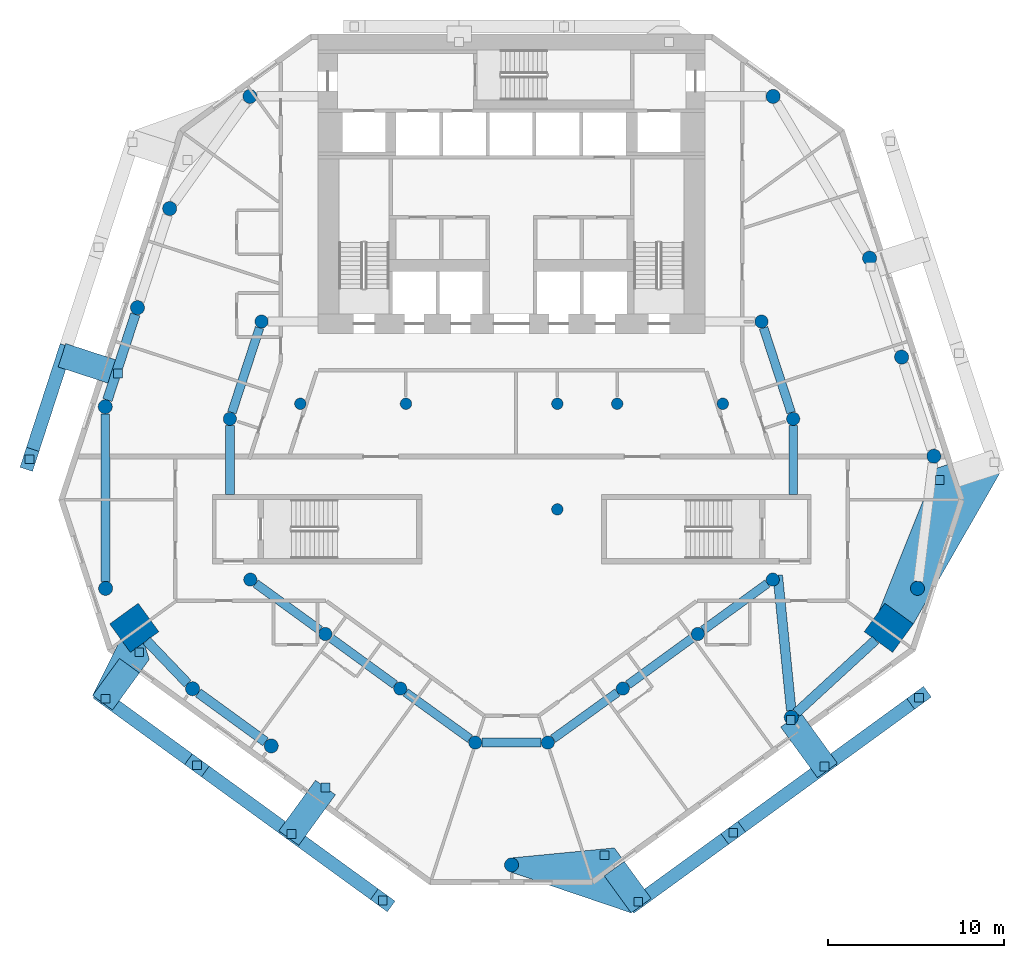
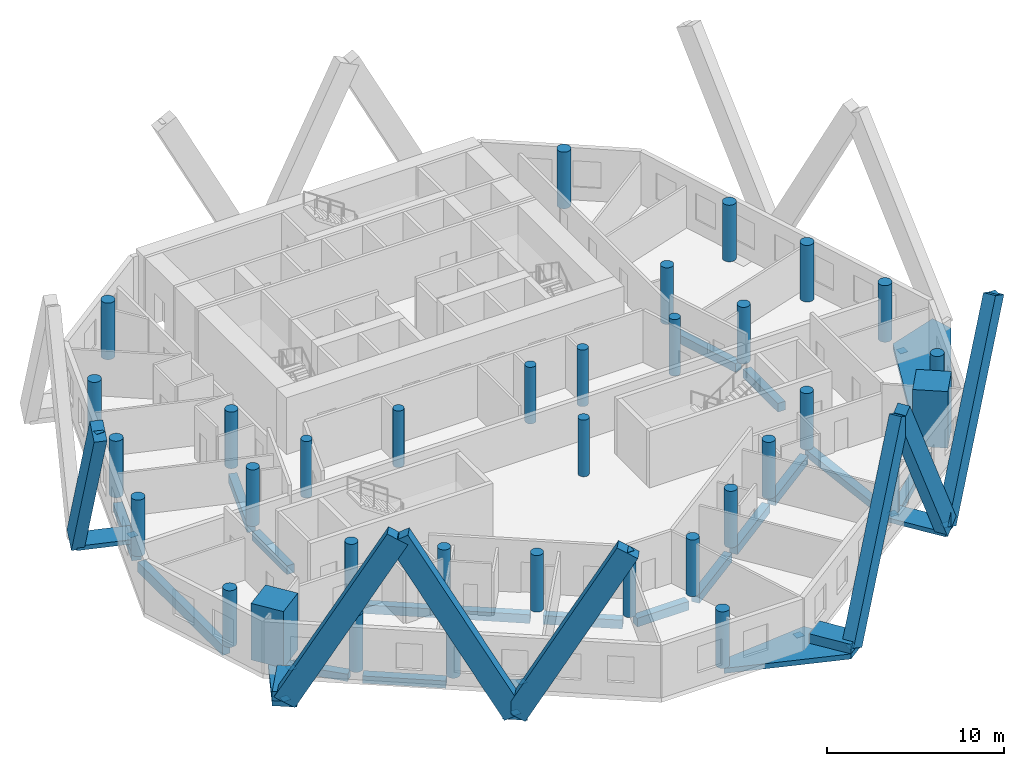
# One storey, part 1 of 10: 34 columns, 17 beams, 15 discrete accessories, 15 members.
"""IFC4 building model written with IfcOpenShell, lengths in metres."""

from ifc_helpers import new_model, si_unit, direction, frame, origin, origin_2d, place, context, subcontext, project, spatial, polyline, rectangle, circle, outline, extrude, material, layer, layer_set, material_profile, profile_set, type_object, element, aggregate, save


model = new_model("IFC4")

# Units and contexts
model_context = context("Model", 3, precision=1e-05, world=origin(), true_north=direction((0.0, 1.0)))
body_context = subcontext(model_context, "Body", "Model", "MODEL_VIEW")
ifc_project = project(units=[si_unit("LENGTHUNIT", "METRE"), si_unit("AREAUNIT", "SQUARE_METRE"), si_unit("VOLUMEUNIT", "CUBIC_METRE"), si_unit("PLANEANGLEUNIT", "RADIAN"), si_unit("MASSUNIT", "GRAM", prefix="KILO")], contexts=[model_context])

# Site, building, storey
site_placement = place(None, origin())
site = spatial("IfcSite", under=ifc_project, at=site_placement, CompositionType="ELEMENT")
building_placement = place(site_placement, origin())
building = spatial("IfcBuilding", under=site, at=building_placement, Name="White Candle Pilgrim Tower", CompositionType="ELEMENT")
storey_placement = place(building_placement, frame((0.0, 0.0, 114.199951171875)))
storey = spatial("IfcBuildingStorey", under=building, at=storey_placement, Name="L25", CompositionType="ELEMENT", Elevation=114.199951171875)

# Columns
ifc_material_1 = material(Name="Concrete C80/95", Category="concrete")
ifc_material_profile_1 = material_profile(ifc_material_1, circle(Radius=0.324951171875, at=origin_2d()), Name="RC-COL D650")
ifc_profile_set_1 = profile_set([ifc_material_profile_1], Name="Concrete C80/95")
column_type_1 = type_object("IfcColumnType", Name="Interior column RC-COL D650 C80/95", PredefinedType="COLUMN", material=ifc_profile_set_1)
for number, where, z_axis, x_axis, name in (
    (1, (58.0, 67.0, 0.0), (0.0, 0.0, 1.0), (1.0, 0.0, 0.0), "L25 column I01"),
    (2, (64.0, 67.0, 0.0), (0.0, 0.0, 1.0), (1.0, 0.0, 0.0), "L25 column I02"),
    (3, (72.60009765625, 61.0, 0.0), (0.0, 0.0, 1.0), (1.0, 0.0, 0.0), "L25 column I03"),
    (4, (72.60009765625, 67.0, 0.0), (0.0, 0.0, 1.0), (1.0, 0.0, 0.0), "L25 column I04"),
    (5, (76.0, 67.0, 0.0), (0.0, 0.0, 1.0), (1.0, 0.0, 0.0), "L25 column I05"),
    (6, (82.0, 67.0, 0.0), (0.0, 0.0, 1.0), (1.0, 0.0, 0.0), "L25 column I06"),
):
    element("IfcColumn", number, at=place(storey_placement, frame(where, z_axis=z_axis, x_axis=x_axis)), inside=storey, type_object=column_type_1, Name=name, PredefinedType="COLUMN", context=body_context, shape_type="SweptSolid", body=[
        extrude(circle(Radius=0.324951171875, at=origin_2d()), origin(), (0.0, 0.0, 1.0), 3.900146484375),
    ])
ifc_material_profile_2 = material_profile(ifc_material_1, rectangle(XDim=2.0, YDim=2.0, at=origin_2d()), Name="RC 2000x2000")
ifc_profile_set_2 = profile_set([ifc_material_profile_2], Name="Concrete C80/95")
column_type_2 = type_object("IfcColumnType", Name="Mega column RC 2000x2000 C80/95", PredefinedType="COLUMN", material=ifc_profile_set_2)
for number, where, z_axis, x_axis, name in (
    (7, (48.570068359375, 54.27001953125, 0.0), (0.0, 0.0, 1.0), (-0.809016994375, -0.587785252292, 0.0), "L25 mega column T02"),
    (8, (91.429931640625, 54.27001953125, 0.0), (0.0, 0.0, 1.0), (0.809016994375, -0.587785252292, 0.0), "L25 mega column T07"),
):
    element("IfcColumn", number, at=place(storey_placement, frame(where, z_axis=z_axis, x_axis=x_axis)), inside=storey, type_object=column_type_2, Name=name, PredefinedType="COLUMN", context=body_context, shape_type="SweptSolid", body=[
        extrude(rectangle(XDim=2.0, YDim=2.0, at=origin_2d()), origin(), (0.0, 0.0, 1.0), 3.900146484375),
    ])
ifc_material_profile_3 = material_profile(ifc_material_1, circle(Radius=0.39990234375, at=origin_2d()), Name="RC-COL D800")
ifc_profile_set_3 = profile_set([ifc_material_profile_3], Name="Concrete C80/95")
column_type_3 = type_object("IfcColumnType", Name="Perimeter column RC-COL D800 C80/95", PredefinedType="COLUMN", material=ifc_profile_set_3)
for number, where, z_axis, x_axis, name in (
    (9, (46.93994140625, 56.510009765625, 0.0), (0.0, 0.0, 1.0), (1.0, 0.0, 0.0), "L25 column T01"),
    (10, (51.8798828125, 50.81005859375, 0.0), (0.0, 0.0, 1.0), (1.0, 0.0, 0.0), "L25 column T03"),
    (11, (56.35009765625, 47.56005859375, 0.0), (0.0, 0.0, 1.0), (1.0, 0.0, 0.0), "L25 column T04"),
    (12, (70.0, 40.800048828125, 0.0), (0.0, 0.0, 1.0), (1.0, 0.0, 0.0), "L25 column T05"),
    (13, (85.889892578125, 49.179931640625, 0.0), (0.0, 0.0, 1.0), (1.0, 0.0, 0.0), "L25 column T06"),
    (14, (93.06005859375, 56.510009765625, 0.0), (0.0, 0.0, 1.0), (1.0, 0.0, 0.0), "L25 column T08"),
    (15, (93.989990234375, 64.02001953125, 0.0), (0.0, 0.0, 1.0), (1.0, 0.0, 0.0), "L25 column T09"),
    (16, (92.159912109375, 69.64990234375, 0.0), (0.0, 0.0, 1.0), (1.0, 0.0, 0.0), "L25 column T10"),
    (17, (90.340087890625, 75.27001953125, 0.0), (0.0, 0.0, 1.0), (1.0, 0.0, 0.0), "L25 column T11"),
    (18, (84.860107421875, 84.4599609375, 0.0), (0.0, 0.0, 1.0), (1.0, 0.0, 0.0), "L25 column T12"),
    (19, (55.139892578125, 84.4599609375, 0.0), (0.0, 0.0, 1.0), (1.0, 0.0, 0.0), "L25 column T13"),
    (20, (50.580078125, 78.090087890625, 0.0), (0.0, 0.0, 1.0), (1.0, 0.0, 0.0), "L25 column T14"),
    (21, (48.75, 72.4599609375, 0.0), (0.0, 0.0, 1.0), (1.0, 0.0, 0.0), "L25 column T15"),
    (22, (46.919921875, 66.830078125, 0.0), (0.0, 0.0, 1.0), (1.0, 0.0, 0.0), "L25 column T16"),
):
    element("IfcColumn", number, at=place(storey_placement, frame(where, z_axis=z_axis, x_axis=x_axis)), inside=storey, type_object=column_type_3, Name=name, PredefinedType="COLUMN", context=body_context, shape_type="SweptSolid", body=[
        extrude(circle(Radius=0.39990234375, at=origin_2d()), origin(), (0.0, 0.0, 1.0), 3.900146484375),
    ])
ifc_material_profile_4 = material_profile(ifc_material_1, circle(Radius=0.375, at=origin_2d()), Name="RC-COL D750")
ifc_profile_set_4 = profile_set([ifc_material_profile_4], Name="Concrete C80/95")
column_type_4 = type_object("IfcColumnType", Name="Ring column RC-COL D750 C80/95", PredefinedType="COLUMN", material=ifc_profile_set_4)
for number, where, z_axis, x_axis, name in (
    (23, (55.159912109375, 57.010009765625, 0.0), (0.0, 0.0, 1.0), (1.0, 0.0, 0.0), "L25 column R01"),
    (24, (59.419921875, 53.919921875, 0.0), (0.0, 0.0, 1.0), (1.0, 0.0, 0.0), "L25 column R02"),
    (25, (63.679931640625, 50.820068359375, 0.0), (0.0, 0.0, 1.0), (1.0, 0.0, 0.0), "L25 column R03"),
    (26, (67.93994140625, 47.75, 0.0), (0.0, 0.0, 1.0), (1.0, 0.0, 0.0), "L25 column R04"),
    (27, (72.06005859375, 47.75, 0.0), (0.0, 0.0, 1.0), (1.0, 0.0, 0.0), "L25 column R05"),
    (28, (76.320068359375, 50.820068359375, 0.0), (0.0, 0.0, 1.0), (1.0, 0.0, 0.0), "L25 column R06"),
    (29, (80.580078125, 53.919921875, 0.0), (0.0, 0.0, 1.0), (1.0, 0.0, 0.0), "L25 column R07"),
    (30, (84.840087890625, 57.010009765625, 0.0), (0.0, 0.0, 1.0), (1.0, 0.0, 0.0), "L25 column R08"),
    (31, (86.0, 66.139892578125, 0.0), (0.0, 0.0, 1.0), (1.0, 0.0, 0.0), "L25 column R09"),
    (32, (84.199951171875, 71.669921875, 0.0), (0.0, 0.0, 1.0), (1.0, 0.0, 0.0), "L25 column R10"),
    (33, (55.800048828125, 71.669921875, 0.0), (0.0, 0.0, 1.0), (1.0, 0.0, 0.0), "L25 column R11"),
    (34, (54.0, 66.139892578125, 0.0), (0.0, 0.0, 1.0), (1.0, 0.0, 0.0), "L25 column R12"),
):
    element("IfcColumn", number, at=place(storey_placement, frame(where, z_axis=z_axis, x_axis=x_axis)), inside=storey, type_object=column_type_4, Name=name, PredefinedType="COLUMN", context=body_context, shape_type="SweptSolid", body=[
        extrude(circle(Radius=0.375, at=origin_2d()), origin(), (0.0, 0.0, 1.0), 3.900146484375),
    ])

# Member
ifc_material_2 = material(Name="Concrete C80/95, white", Category="concrete")
ifc_material_profile_5 = material_profile(ifc_material_2, rectangle(XDim=0.75, YDim=1.35009765625, at=origin_2d()), Name="RC-DG 750x1350")
ifc_profile_set_5 = profile_set([ifc_material_profile_5], Name="Concrete C80/95, white")
member_type_1 = type_object("IfcMemberType", Name="Exoskeleton diagonal RC-DG 750x1350 C80/95", PredefinedType="BRACE", material=ifc_profile_set_5)
member_1_placement = place(storey_placement, frame((77.2021484375, 38.70703125, 0.0), z_axis=(0.400432720764, 0.290936990599, 0.868912713478), x_axis=(-0.587792643256, 0.809011624474, 0.0)))
member_1 = element("IfcMember", 35, at=member_1_placement, inside=storey, type_object=member_type_1, Name="Exoskeleton diagonal EX091", PredefinedType="BRACE", context=body_context, shape_type="SweptSolid", body=[
    extrude(rectangle(XDim=0.75, YDim=1.35009765625, at=origin_2d()), origin(), (0.0, 0.0, 1.0), 13.465087890625),
])

member_2_placement = place(storey_placement, frame((87.78173828125, 46.3935546875, 0.0), z_axis=(-0.388829964377, -0.282495975813, 0.876930602985), x_axis=(0.587777722186, -0.809022465264, 0.0)))
member_2 = element("IfcMember", 36, at=member_2_placement, inside=storey, type_object=member_type_1, Name="Exoskeleton diagonal EX092", PredefinedType="BRACE", context=body_context, shape_type="SweptSolid", body=[
    extrude(rectangle(XDim=0.75, YDim=1.35009765625, at=origin_2d()), origin(), (0.0, 0.0, 1.0), 13.342041015625),
])

member_3_placement = place(storey_placement, frame((87.78173828125, 46.3935546875, 0.0), z_axis=(0.399213266308, 0.290044881291, 0.869771656724), x_axis=(-0.58778454344, 0.809017509386, 0.0)))
member_3 = element("IfcMember", 37, at=member_3_placement, inside=storey, type_object=member_type_1, Name="Exoskeleton diagonal EX093", PredefinedType="BRACE", context=body_context, shape_type="SweptSolid", body=[
    extrude(rectangle(XDim=0.75, YDim=1.35009765625, at=origin_2d()), origin(), (0.0, 0.0, 1.0), 13.45166015625),
])

member_4_placement = place(storey_placement, frame((46.928466796875, 50.23681640625, 0.0), z_axis=(0.389462116515, -0.282960853038, 0.87650009438), x_axis=(0.587785337054, 0.809016932792, 0.0)))
member_4 = element("IfcMember", 38, at=member_4_placement, inside=storey, type_object=member_type_1, Name="Exoskeleton diagonal EX103", PredefinedType="BRACE", context=body_context, shape_type="SweptSolid", body=[
    extrude(rectangle(XDim=0.75, YDim=1.35009765625, at=origin_2d()), origin(), (0.0, 0.0, 1.0), 13.348388671875),
])

member_5_placement = place(storey_placement, frame((57.508056640625, 42.55029296875, 0.0), z_axis=(-0.399816878868, 0.290484014579, 0.869347744373), x_axis=(-0.587785316746, -0.809016947547, 0.0)))
member_5 = element("IfcMember", 39, at=member_5_placement, inside=storey, type_object=member_type_1, Name="Exoskeleton diagonal EX104", PredefinedType="BRACE", context=body_context, shape_type="SweptSolid", body=[
    extrude(rectangle(XDim=0.75, YDim=1.35009765625, at=origin_2d()), origin(), (0.0, 0.0, 1.0), 13.458251953125),
])

member_6_placement = place(storey_placement, frame((57.508056640625, 42.55029296875, 0.0), z_axis=(0.38819487508, -0.282047266812, 0.877356300625), x_axis=(0.587795047126, 0.809009877921, 0.0)))
member_6 = element("IfcMember", 40, at=member_6_placement, inside=storey, type_object=member_type_1, Name="Exoskeleton diagonal EX105", PredefinedType="BRACE", context=body_context, shape_type="SweptSolid", body=[
    extrude(rectangle(XDim=0.75, YDim=1.35009765625, at=origin_2d()), origin(), (0.0, 0.0, 1.0), 13.33544921875),
])

member_7_placement = place(storey_placement, frame((44.531982421875, 69.732421875, 0.0), z_axis=(-0.144569795154, -0.444940793198, 0.883814044286), x_axis=(0.95105666217, -0.309016545418, 0.0)))
member_7 = element("IfcMember", 41, at=member_7_placement, inside=storey, type_object=member_type_1, Name="Exoskeleton diagonal EX117", PredefinedType="BRACE", context=body_context, shape_type="SweptSolid", body=[
    extrude(rectangle(XDim=0.75, YDim=1.35009765625, at=origin_2d()), origin(), (0.0, 0.0, 1.0), 13.238037109375),
])

ifc_material_3 = material(Name="Concrete C70/85, white", Category="concrete")
ifc_layer_1 = layer(ifc_material_3, 0.300048828125)
ifc_layer_set_1 = layer_set([ifc_layer_1], Name="Node tie strut 3350x1400x300 C70/85")
member_type_2 = type_object("IfcMemberType", Name="Node tie strut 3350x1400x300 C70/85", PredefinedType="STRUT", material=ifc_layer_set_1)
member_8_placement = place(storey_placement, frame((0.0, 0.0, -0.349853515625)))
member_8 = element("IfcMember", 42, at=member_8_placement, inside=storey, type_object=member_type_2, Name="Node tie strut NC071", PredefinedType="STRUT", context=body_context, shape_type="SweptSolid", body=[
    extrude(outline(polyline([(92.826904296875, 54.4912109375), (97.724609375, 63.030029296875), (97.2919921875, 64.361572265625), (94.106201171875, 63.326416015625), (90.856689453125, 55.182373046875), (91.208740234375, 55.666748046875), (92.826904296875, 54.4912109375)])), origin(), (0.0, 0.0, 1.0), 0.349853515625),
])

member_9_placement = place(storey_placement, frame((46.0537109375, 69.238037109375, -0.2998046875), z_axis=(0.0, 0.0, 1.0), x_axis=(-0.309016994375, -0.951056516295, 0.0)))
member_9 = element("IfcMember", 43, at=member_9_placement, inside=storey, type_object=member_type_2, Name="Node tie strut NC080", PredefinedType="STRUT", context=body_context, shape_type="SweptSolid", body=[
    extrude(rectangle(XDim=1.39990234375, YDim=3.35009765625, at=origin_2d()), origin(), (0.0, 0.0, 1.0), 0.300048828125),
])

ifc_layer_2 = layer(ifc_material_3, 0.300048828125)
ifc_layer_set_2 = layer_set([ifc_layer_2], Name="Node tie strut 3550x1400x300 C70/85")
member_type_3 = type_object("IfcMemberType", Name="Node tie strut 3550x1400x300 C70/85", PredefinedType="STRUT", material=ifc_layer_set_2)
member_10_placement = place(storey_placement, frame((0.0, 0.0, -0.349853515625)))
member_10 = element("IfcMember", 44, at=member_10_placement, inside=storey, type_object=member_type_3, Name="Node tie strut NC075", PredefinedType="STRUT", context=body_context, shape_type="SweptSolid", body=[
    extrude(outline(polyline([(76.797607421875, 38.072998046875), (77.93017578125, 38.89599609375), (75.843505859375, 41.76806640625), (69.973876953125, 41.19921875), (70.0, 41.199951171875), (70.026123046875, 41.19921875), (70.05224609375, 41.196533203125), (70.077880859375, 41.1923828125), (70.103515625, 41.186279296875), (70.128662109375, 41.1787109375), (70.153076171875, 41.169677734375), (70.177001953125, 41.15869140625), (70.199951171875, 41.146484375), (70.22216796875, 41.132568359375), (70.243408203125, 41.1171875), (70.263671875, 41.1005859375), (70.28271484375, 41.082763671875), (70.30078125, 41.063720703125), (70.3173828125, 41.04345703125), (70.33251953125, 41.022216796875), (70.346435546875, 41.0), (70.358642578125, 40.976806640625), (70.36962890625, 40.953125), (70.37890625, 40.9287109375), (70.386474609375, 40.903564453125), (70.392333984375, 40.8779296875), (70.396484375, 40.852294921875), (70.399169921875, 40.826171875), (70.39990234375, 40.800048828125), (70.399169921875, 40.773681640625), (70.396484375, 40.747802734375), (70.392333984375, 40.721923828125), (70.386474609375, 40.696533203125), (70.37890625, 40.67138671875), (70.36962890625, 40.64697265625), (70.358642578125, 40.623046875), (70.346435546875, 40.60009765625), (70.33251953125, 40.577880859375), (70.3173828125, 40.556396484375), (70.30078125, 40.536376953125), (70.28271484375, 40.51708984375), (70.263671875, 40.499267578125), (70.243408203125, 40.482666015625), (70.22216796875, 40.46728515625), (70.199951171875, 40.45361328125), (70.177001953125, 40.44140625), (70.153076171875, 40.430419921875), (70.128662109375, 40.421142578125), (70.103515625, 40.41357421875), (70.077880859375, 40.40771484375), (70.05224609375, 40.4033203125), (70.026123046875, 40.40087890625), (70.0, 40.39990234375), (69.973876953125, 40.40087890625), (69.94775390625, 40.4033203125), (69.922119140625, 40.40771484375), (69.896484375, 40.41357421875), (69.871337890625, 40.421142578125), (76.797607421875, 38.072998046875)])), origin(), (0.0, 0.0, 1.0), 0.349853515625),
])

member_11_placement = place(storey_placement, origin())
element("IfcMember", 45, at=member_11_placement, inside=storey, type_object=member_type_3, Name="Node tie strut NC075", PredefinedType="STRUT", context=body_context, shape_type="SweptSolid", body=[
    extrude(outline(polyline([(76.797607421875, 38.072998046875), (77.93017578125, 38.89599609375), (76.402099609375, 40.99951171875), (75.269287109375, 40.176513671875), (76.797607421875, 38.072998046875)])), origin(), (0.0, 0.0, 1.0), 0.650146484375),
])

member_12_placement = place(storey_placement, frame((86.89990234375, 47.60693359375, -0.2998046875), z_axis=(0.0, 0.0, 1.0), x_axis=(0.809016994375, 0.587785252292, 0.0)))
member_12 = element("IfcMember", 46, at=member_12_placement, inside=storey, type_object=member_type_3, Name="Node tie strut NC076", PredefinedType="STRUT", context=body_context, shape_type="SweptSolid", body=[
    extrude(rectangle(XDim=1.39990234375, YDim=3.550048828125, at=origin_2d()), origin(), (0.0, 0.0, 1.0), 0.300048828125),
])

member_13_placement = place(storey_placement, frame((0.0, 0.0, -0.349853515625)))
member_13 = element("IfcMember", 47, at=member_13_placement, inside=storey, type_object=member_type_3, Name="Node tie strut NC077", PredefinedType="STRUT", context=body_context, shape_type="SweptSolid", body=[
    extrude(outline(polyline([(47.333251953125, 49.602783203125), (49.419921875, 52.474853515625), (49.12060546875, 53.433837890625), (48.348876953125, 52.873291015625), (47.79296875, 53.63818359375), (46.20068359375, 50.425537109375), (47.333251953125, 49.602783203125)])), origin(), (0.0, 0.0, 1.0), 0.349853515625),
])

member_14_placement = place(storey_placement, origin())
element("IfcMember", 48, at=member_14_placement, inside=storey, type_object=member_type_3, Name="Node tie strut NC077", PredefinedType="STRUT", context=body_context, shape_type="SweptSolid", body=[
    extrude(outline(polyline([(47.333251953125, 49.602783203125), (48.861572265625, 51.706298828125), (47.728759765625, 52.529052734375), (46.20068359375, 50.425537109375), (47.333251953125, 49.602783203125)])), origin(), (0.0, 0.0, 1.0), 0.650146484375),
])

member_15_placement = place(storey_placement, frame((58.3896484375, 43.763916015625, -0.2998046875), z_axis=(0.0, 0.0, 1.0), x_axis=(0.809016994375, -0.587785252292, 0.0)))
member_15 = element("IfcMember", 49, at=member_15_placement, inside=storey, type_object=member_type_3, Name="Node tie strut NC078", PredefinedType="STRUT", context=body_context, shape_type="SweptSolid", body=[
    extrude(rectangle(XDim=1.39990234375, YDim=3.550048828125, at=origin_2d()), origin(), (0.0, 0.0, 1.0), 0.300048828125),
])

# Beams
ifc_material_4 = material(Name="Concrete C50/60", Category="concrete")
ifc_material_profile_6 = material_profile(ifc_material_4, rectangle(XDim=0.5, YDim=0.60009765625, at=origin_2d()), Name="RC-BM 500x600")
ifc_profile_set_6 = profile_set([ifc_material_profile_6], Name="Concrete C50/60")
beam_type_1 = type_object("IfcBeamType", Name="Ring beam RC-BM 500x600 C50/60", PredefinedType="BEAM", material=ifc_profile_set_6)
beam_1_placement = place(storey_placement, frame((55.46337890625, 56.789794921875, -0.599853515625), z_axis=(0.809505029053, -0.587112943084, 0.0), x_axis=(0.587112943084, 0.809505029053, 0.0)))
element("IfcBeam", 50, at=beam_1_placement, inside=storey, type_object=beam_type_1, Name="L25 ring beam R01", PredefinedType="BEAM", context=body_context, shape_type="SweptSolid", body=[
    extrude(rectangle(XDim=0.5, YDim=0.60009765625, at=origin_2d()), origin(), (0.0, 0.0, 1.0), 4.512939453125),
])
beam_2_placement = place(storey_placement, frame((59.72314453125, 53.699462890625, -0.599853515625), z_axis=(0.808565500751, -0.588406178583, 0.0), x_axis=(0.588406178583, 0.808565500751, 0.0)))
element("IfcBeam", 51, at=beam_2_placement, inside=storey, type_object=beam_type_1, Name="L25 ring beam R02", PredefinedType="BEAM", context=body_context, shape_type="SweptSolid", body=[
    extrude(rectangle(XDim=0.5, YDim=0.60009765625, at=origin_2d()), origin(), (0.0, 0.0, 1.0), 4.518798828125),
])
beam_3_placement = place(storey_placement, frame((63.984130859375, 50.600830078125, -0.599853515625), z_axis=(0.811270905805, -0.584670434856, 0.0), x_axis=(0.584670434856, 0.811270905805, 0.0)))
element("IfcBeam", 52, at=beam_3_placement, inside=storey, type_object=beam_type_1, Name="L25 ring beam R03", PredefinedType="BEAM", context=body_context, shape_type="SweptSolid", body=[
    extrude(rectangle(XDim=0.5, YDim=0.60009765625, at=origin_2d()), origin(), (0.0, 0.0, 1.0), 4.50146484375),
])
beam_4_placement = place(storey_placement, frame((68.31494140625, 47.75, -0.599853515625), z_axis=(1.0, 0.0, 0.0), x_axis=(0.0, 1.0, 0.0)))
element("IfcBeam", 53, at=beam_4_placement, inside=storey, type_object=beam_type_1, Name="L25 ring beam R04", PredefinedType="BEAM", context=body_context, shape_type="SweptSolid", body=[
    extrude(rectangle(XDim=0.5, YDim=0.60009765625, at=origin_2d()), origin(), (0.0, 0.0, 1.0), 3.3701171875),
])
beam_5_placement = place(storey_placement, frame((72.364013671875, 47.968994140625, -0.599853515625), z_axis=(0.811270905805, 0.584670434856, 0.0), x_axis=(-0.584670434856, 0.811270905805, 0.0)))
element("IfcBeam", 54, at=beam_5_placement, inside=storey, type_object=beam_type_1, Name="L25 ring beam R05", PredefinedType="BEAM", context=body_context, shape_type="SweptSolid", body=[
    extrude(rectangle(XDim=0.5, YDim=0.60009765625, at=origin_2d()), origin(), (0.0, 0.0, 1.0), 4.50146484375),
])
beam_6_placement = place(storey_placement, frame((76.623046875, 51.04052734375, -0.599853515625), z_axis=(0.808565500751, 0.588406178583, 0.0), x_axis=(-0.588406178583, 0.808565500751, 0.0)))
element("IfcBeam", 55, at=beam_6_placement, inside=storey, type_object=beam_type_1, Name="L25 ring beam R06", PredefinedType="BEAM", context=body_context, shape_type="SweptSolid", body=[
    extrude(rectangle(XDim=0.5, YDim=0.60009765625, at=origin_2d()), origin(), (0.0, 0.0, 1.0), 4.518798828125),
])
beam_7_placement = place(storey_placement, frame((80.88330078125, 54.14013671875, -0.599853515625), z_axis=(0.809505029053, 0.587112943084, 0.0), x_axis=(-0.587112943084, 0.809505029053, 0.0)))
element("IfcBeam", 56, at=beam_7_placement, inside=storey, type_object=beam_type_1, Name="L25 ring beam R07", PredefinedType="BEAM", context=body_context, shape_type="SweptSolid", body=[
    extrude(rectangle(XDim=0.5, YDim=0.60009765625, at=origin_2d()), origin(), (0.0, 0.0, 1.0), 4.512939453125),
])
beam_8_placement = place(storey_placement, frame((86.0, 65.764892578125, -0.599853515625), z_axis=(0.0, -1.0, 0.0), x_axis=(1.0, 0.0, 0.0)))
element("IfcBeam", 57, at=beam_8_placement, inside=storey, type_object=beam_type_1, Name="L25 ring beam R08", PredefinedType="BEAM", context=body_context, shape_type="SweptSolid", body=[
    extrude(rectangle(XDim=0.5, YDim=0.60009765625, at=origin_2d()), origin(), (0.0, 0.0, 1.0), 3.914794921875),
])
for number, where, z_axis, x_axis, name in (
    (58, (85.884033203125, 66.49658203125, -0.599853515625), (-0.309554632353, 0.950881659087, 0.0), (-0.950881659087, -0.309554632353, 0.0), "L25 ring beam R09"),
    (59, (55.68408203125, 71.3134765625, -0.599853515625), (-0.309554632353, -0.950881659087, 0.0), (0.950881659087, -0.309554632353, 0.0), "L25 ring beam R12"),
):
    element("IfcBeam", number, at=place(storey_placement, frame(where, z_axis=z_axis, x_axis=x_axis)), inside=storey, type_object=beam_type_1, Name=name, PredefinedType="BEAM", context=body_context, shape_type="SweptSolid", body=[
        extrude(rectangle(XDim=0.5, YDim=0.60009765625, at=origin_2d()), origin(), (0.0, 0.0, 1.0), 5.065673828125),
    ])
beam_9_placement = place(storey_placement, frame((54.0, 65.764892578125, -0.599853515625), z_axis=(0.0, -1.0, 0.0), x_axis=(1.0, 0.0, 0.0)))
element("IfcBeam", 60, at=beam_9_placement, inside=storey, type_object=beam_type_1, Name="L25 ring beam R13", PredefinedType="BEAM", context=body_context, shape_type="SweptSolid", body=[
    extrude(rectangle(XDim=0.5, YDim=0.60009765625, at=origin_2d()), origin(), (0.0, 0.0, 1.0), 3.914794921875),
])
ifc_material_profile_7 = material_profile(ifc_material_4, rectangle(XDim=0.5, YDim=0.699951171875, at=origin_2d()), Name="RC-BM 500x700")
ifc_profile_set_7 = profile_set([ifc_material_profile_7], Name="Concrete C50/60")
beam_type_2 = type_object("IfcBeamType", Name="Spandrel beam RC-BM 500x700 C50/60", PredefinedType="BEAM", material=ifc_profile_set_7)
beam_10_placement = place(storey_placement, frame((46.9208984375, 66.429931640625, -0.64990234375), z_axis=(0.001923369269, -0.999998150324, 0.0), x_axis=(0.999998150324, 0.001923369269, 0.0)))
element("IfcBeam", 61, at=beam_10_placement, inside=storey, type_object=beam_type_2, Name="L25 spandrel beam T14", PredefinedType="BEAM", context=body_context, shape_type="SweptSolid", body=[
    extrude(rectangle(XDim=0.5, YDim=0.699951171875, at=origin_2d()), origin(), (0.0, 0.0, 1.0), 9.52001953125),
])
ifc_material_profile_8 = material_profile(ifc_material_4, rectangle(XDim=0.550048828125, YDim=0.5, at=origin_2d()), Name="RC-BM 550x500")
ifc_profile_set_8 = profile_set([ifc_material_profile_8], Name="Concrete C50/60")
beam_type_3 = type_object("IfcBeamType", Name="Spandrel beam RC-BM 550x500 C50/60", PredefinedType="BEAM", material=ifc_profile_set_8)
beam_11_placement = place(storey_placement, frame((49.267578125, 53.540771484375, -0.550048828125), z_axis=(0.6912554522, -0.722610475847, 0.0), x_axis=(0.722610475847, 0.6912554522, 0.0)))
element("IfcBeam", 62, at=beam_11_placement, inside=storey, type_object=beam_type_3, Name="L25 spandrel beam T01", PredefinedType="BEAM", context=body_context, shape_type="SweptSolid", body=[
    extrude(rectangle(XDim=0.550048828125, YDim=0.5, at=origin_2d()), origin(), (0.0, 0.0, 1.0), 3.379150390625),
])
beam_12_placement = place(storey_placement, frame((52.203369140625, 50.574951171875, -0.550048828125), z_axis=(0.808812014489, -0.5880672795, 0.0), x_axis=(0.5880672795, 0.808812014489, 0.0)))
element("IfcBeam", 63, at=beam_12_placement, inside=storey, type_object=beam_type_3, Name="L25 spandrel beam T02", PredefinedType="BEAM", context=body_context, shape_type="SweptSolid", body=[
    extrude(rectangle(XDim=0.550048828125, YDim=0.5, at=origin_2d()), origin(), (0.0, 0.0, 1.0), 4.72705078125),
])
beam_13_placement = place(storey_placement, frame((85.889892578125, 49.580078125, -0.550048828125), z_axis=(-0.099547579937, 0.995032803142, 0.0), x_axis=(-0.995032803142, -0.099547579937, 0.0)))
element("IfcBeam", 64, at=beam_13_placement, inside=storey, type_object=beam_type_3, Name="L25 spandrel beam T03", PredefinedType="BEAM", context=body_context, shape_type="SweptSolid", body=[
    extrude(rectangle(XDim=0.550048828125, YDim=0.5, at=origin_2d()), origin(), (0.0, 0.0, 1.0), 7.715576171875),
])
beam_14_placement = place(storey_placement, frame((86.184326171875, 49.450439453125, -0.550048828125), z_axis=(0.736374917929, 0.67657370644, 0.0), x_axis=(-0.67657370644, 0.736374917929, 0.0)))
element("IfcBeam", 65, at=beam_14_placement, inside=storey, type_object=beam_type_3, Name="L25 spandrel beam T04", PredefinedType="BEAM", context=body_context, shape_type="SweptSolid", body=[
    extrude(rectangle(XDim=0.550048828125, YDim=0.5, at=origin_2d()), origin(), (0.0, 0.0, 1.0), 6.103271484375),
])
beam_15_placement = place(storey_placement, frame((48.62646484375, 72.07958984375, -0.550048828125), z_axis=(-0.309123808161, -0.95102180376, 0.0), x_axis=(0.95102180376, -0.309123808161, 0.0)))
element("IfcBeam", 66, at=beam_15_placement, inside=storey, type_object=beam_type_3, Name="L25 spandrel beam T13", PredefinedType="BEAM", context=body_context, shape_type="SweptSolid", body=[
    extrude(rectangle(XDim=0.550048828125, YDim=0.5, at=origin_2d()), origin(), (0.0, 0.0, 1.0), 5.1201171875),
])

# Discrete accessory
ifc_material_5 = material(Name="Steel S355", Category="steel")
ifc_layer_3 = layer(ifc_material_5, 0.02490234375)
ifc_layer_set_3 = layer_set([ifc_layer_3], Name="Gusset plate 500x500x25 S355")
discrete_accessory_type = type_object("IfcDiscreteAccessoryType", Name="Gusset plate 500x500x25 S355", PredefinedType="BRACKET", material=ifc_layer_set_3)
discrete_accessory_1_placement = place(storey_placement, frame((77.2021484375, 38.70703125, -0.012451171875), z_axis=(0.0, 0.0, 1.0), x_axis=(1.0, 0.0, 0.0)))
discrete_accessory_1 = element("IfcDiscreteAccessory", 67, at=discrete_accessory_1_placement, type_object=discrete_accessory_type, Name="Gusset plate 0098", PredefinedType="BRACKET", context=body_context, shape_type="SweptSolid", body=[
    extrude(rectangle(XDim=0.5, YDim=0.5, at=origin_2d()), origin(), (0.0, 0.0, 1.0), 0.02490234375),
])

placement = place(building_placement, frame((0.0, 0.0, 125.89990234375)))
discrete_accessory_2_placement = place(placement, frame((82.593994140625, 42.62451171875, -0.012451171875), z_axis=(0.0, 0.0, 1.0), x_axis=(1.0, 0.0, 0.0)))
discrete_accessory_2 = element("IfcDiscreteAccessory", 68, at=discrete_accessory_2_placement, type_object=discrete_accessory_type, Name="Gusset plate 0099", PredefinedType="BRACKET", context=body_context, shape_type="SweptSolid", body=[
    extrude(rectangle(XDim=0.5, YDim=0.5, at=origin_2d()), origin(), (0.0, 0.0, 1.0), 0.02490234375),
])

aggregate(member_1, [discrete_accessory_1, discrete_accessory_2])

discrete_accessory_3_placement = place(storey_placement, frame((87.78173828125, 46.3935546875, -0.012451171875), z_axis=(0.0, 0.0, 1.0), x_axis=(1.0, 0.0, 0.0)))
discrete_accessory_3 = element("IfcDiscreteAccessory", 69, at=discrete_accessory_3_placement, type_object=discrete_accessory_type, Name="Gusset plate 0100", PredefinedType="BRACKET", context=body_context, shape_type="SweptSolid", body=[
    extrude(rectangle(XDim=0.5, YDim=0.5, at=origin_2d()), origin(), (0.0, 0.0, 1.0), 0.02490234375),
])

aggregate(member_2, [discrete_accessory_3])

discrete_accessory_4_placement = place(placement, frame((93.15185546875, 50.295166015625, -0.012451171875), z_axis=(0.0, 0.0, 1.0), x_axis=(1.0, 0.0, 0.0)))
discrete_accessory_4 = element("IfcDiscreteAccessory", 70, at=discrete_accessory_4_placement, type_object=discrete_accessory_type, Name="Gusset plate 0101", PredefinedType="BRACKET", context=body_context, shape_type="SweptSolid", body=[
    extrude(rectangle(XDim=0.5, YDim=0.5, at=origin_2d()), origin(), (0.0, 0.0, 1.0), 0.02490234375),
])

aggregate(member_3, [discrete_accessory_4])

discrete_accessory_5_placement = place(storey_placement, frame((46.928466796875, 50.23681640625, -0.012451171875), z_axis=(0.0, 0.0, 1.0), x_axis=(1.0, 0.0, 0.0)))
discrete_accessory_5 = element("IfcDiscreteAccessory", 71, at=discrete_accessory_5_placement, type_object=discrete_accessory_type, Name="Gusset plate 0114", PredefinedType="BRACKET", context=body_context, shape_type="SweptSolid", body=[
    extrude(rectangle(XDim=0.5, YDim=0.5, at=origin_2d()), origin(), (0.0, 0.0, 1.0), 0.02490234375),
])

discrete_accessory_6_placement = place(placement, frame((52.127197265625, 46.459716796875, -0.012451171875), z_axis=(0.0, 0.0, 1.0), x_axis=(1.0, 0.0, 0.0)))
discrete_accessory_6 = element("IfcDiscreteAccessory", 72, at=discrete_accessory_6_placement, type_object=discrete_accessory_type, Name="Gusset plate 0115", PredefinedType="BRACKET", context=body_context, shape_type="SweptSolid", body=[
    extrude(rectangle(XDim=0.5, YDim=0.5, at=origin_2d()), origin(), (0.0, 0.0, 1.0), 0.02490234375),
])

aggregate(member_4, [discrete_accessory_5, discrete_accessory_6])

discrete_accessory_7_placement = place(storey_placement, frame((57.508056640625, 42.55029296875, -0.012451171875), z_axis=(0.0, 0.0, 1.0), x_axis=(1.0, 0.0, 0.0)))
discrete_accessory_7 = element("IfcDiscreteAccessory", 73, at=discrete_accessory_7_placement, type_object=discrete_accessory_type, Name="Gusset plate 0116", PredefinedType="BRACKET", context=body_context, shape_type="SweptSolid", body=[
    extrude(rectangle(XDim=0.5, YDim=0.5, at=origin_2d()), origin(), (0.0, 0.0, 1.0), 0.02490234375),
])

aggregate(member_5, [discrete_accessory_7])

discrete_accessory_8_placement = place(placement, frame((62.684814453125, 38.7890625, -0.012451171875), z_axis=(0.0, 0.0, 1.0), x_axis=(1.0, 0.0, 0.0)))
discrete_accessory_8 = element("IfcDiscreteAccessory", 74, at=discrete_accessory_8_placement, type_object=discrete_accessory_type, Name="Gusset plate 0117", PredefinedType="BRACKET", context=body_context, shape_type="SweptSolid", body=[
    extrude(rectangle(XDim=0.5, YDim=0.5, at=origin_2d()), origin(), (0.0, 0.0, 1.0), 0.02490234375),
])

aggregate(member_6, [discrete_accessory_8])

discrete_accessory_9_placement = place(placement, frame((42.6181640625, 63.84228515625, -0.012451171875), z_axis=(0.0, 0.0, 1.0), x_axis=(1.0, 0.0, 0.0)))
discrete_accessory_9 = element("IfcDiscreteAccessory", 75, at=discrete_accessory_9_placement, type_object=discrete_accessory_type, Name="Gusset plate 0131", PredefinedType="BRACKET", context=body_context, shape_type="SweptSolid", body=[
    extrude(rectangle(XDim=0.5, YDim=0.5, at=origin_2d()), origin(), (0.0, 0.0, 1.0), 0.02490234375),
])

aggregate(member_7, [discrete_accessory_9])

discrete_accessory_10_placement = place(storey_placement, frame((94.322509765625, 62.66064453125, -0.162353515625), z_axis=(0.0, 0.0, 1.0), x_axis=(1.0, 0.0, 0.0)))
discrete_accessory_10 = element("IfcDiscreteAccessory", 76, at=discrete_accessory_10_placement, type_object=discrete_accessory_type, Name="Gusset plate 0452", PredefinedType="BRACKET", context=body_context, shape_type="SweptSolid", body=[
    extrude(rectangle(XDim=0.5, YDim=0.5, at=origin_2d()), origin(), (0.0, 0.0, 1.0), 0.02490234375),
])

aggregate(member_8, [discrete_accessory_10])

discrete_accessory_11_placement = place(storey_placement, frame((75.27734375, 41.356689453125, -0.162353515625), z_axis=(0.0, 0.0, 1.0), x_axis=(1.0, 0.0, 0.0)))
discrete_accessory_11 = element("IfcDiscreteAccessory", 77, at=discrete_accessory_11_placement, type_object=discrete_accessory_type, Name="Gusset plate 0456", PredefinedType="BRACKET", context=body_context, shape_type="SweptSolid", body=[
    extrude(rectangle(XDim=0.5, YDim=0.5, at=origin_2d()), origin(), (0.0, 0.0, 1.0), 0.02490234375),
])

aggregate(member_10, [discrete_accessory_11])

discrete_accessory_12_placement = place(storey_placement, frame((85.856689453125, 49.04296875, -0.162353515625), z_axis=(0.0, 0.0, 1.0), x_axis=(1.0, 0.0, 0.0)))
discrete_accessory_12 = element("IfcDiscreteAccessory", 78, at=discrete_accessory_12_placement, type_object=discrete_accessory_type, Name="Gusset plate 0457", PredefinedType="BRACKET", context=body_context, shape_type="SweptSolid", body=[
    extrude(rectangle(XDim=0.5, YDim=0.5, at=origin_2d()), origin(), (0.0, 0.0, 1.0), 0.02490234375),
])

aggregate(member_12, [discrete_accessory_12])

discrete_accessory_13_placement = place(storey_placement, frame((48.853515625, 52.88623046875, -0.162353515625), z_axis=(0.0, 0.0, 1.0), x_axis=(1.0, 0.0, 0.0)))
discrete_accessory_13 = element("IfcDiscreteAccessory", 79, at=discrete_accessory_13_placement, type_object=discrete_accessory_type, Name="Gusset plate 0458", PredefinedType="BRACKET", context=body_context, shape_type="SweptSolid", body=[
    extrude(rectangle(XDim=0.5, YDim=0.5, at=origin_2d()), origin(), (0.0, 0.0, 1.0), 0.02490234375),
])

aggregate(member_13, [discrete_accessory_13])

discrete_accessory_14_placement = place(storey_placement, frame((59.43310546875, 45.19970703125, -0.162353515625), z_axis=(0.0, 0.0, 1.0), x_axis=(1.0, 0.0, 0.0)))
discrete_accessory_14 = element("IfcDiscreteAccessory", 80, at=discrete_accessory_14_placement, type_object=discrete_accessory_type, Name="Gusset plate 0459", PredefinedType="BRACKET", context=body_context, shape_type="SweptSolid", body=[
    extrude(rectangle(XDim=0.5, YDim=0.5, at=origin_2d()), origin(), (0.0, 0.0, 1.0), 0.02490234375),
])

aggregate(member_15, [discrete_accessory_14])

discrete_accessory_15_placement = place(storey_placement, frame((47.646484375, 68.720458984375, -0.162353515625), z_axis=(0.0, 0.0, 1.0), x_axis=(1.0, 0.0, 0.0)))
discrete_accessory_15 = element("IfcDiscreteAccessory", 81, at=discrete_accessory_15_placement, type_object=discrete_accessory_type, Name="Gusset plate 0461", PredefinedType="BRACKET", context=body_context, shape_type="SweptSolid", body=[
    extrude(rectangle(XDim=0.5, YDim=0.5, at=origin_2d()), origin(), (0.0, 0.0, 1.0), 0.02490234375),
])

aggregate(member_9, [discrete_accessory_15])

save(model, "model.ifc")
